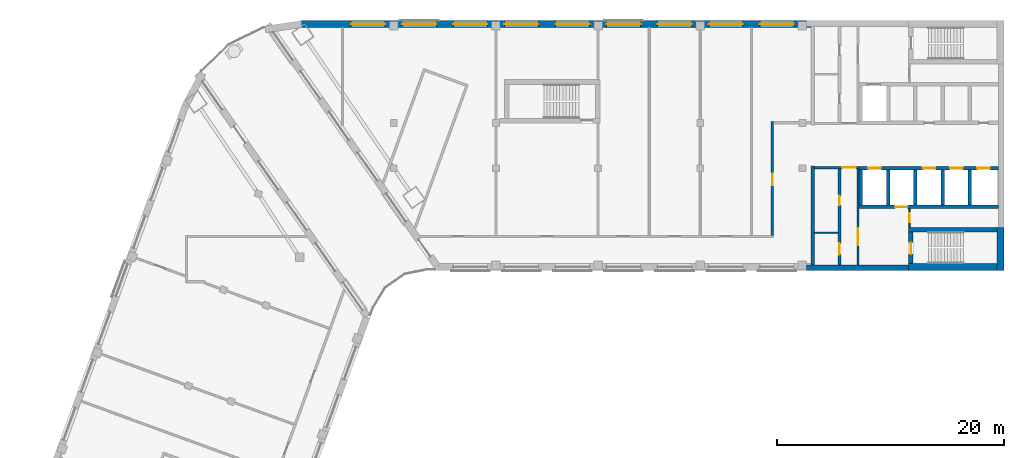
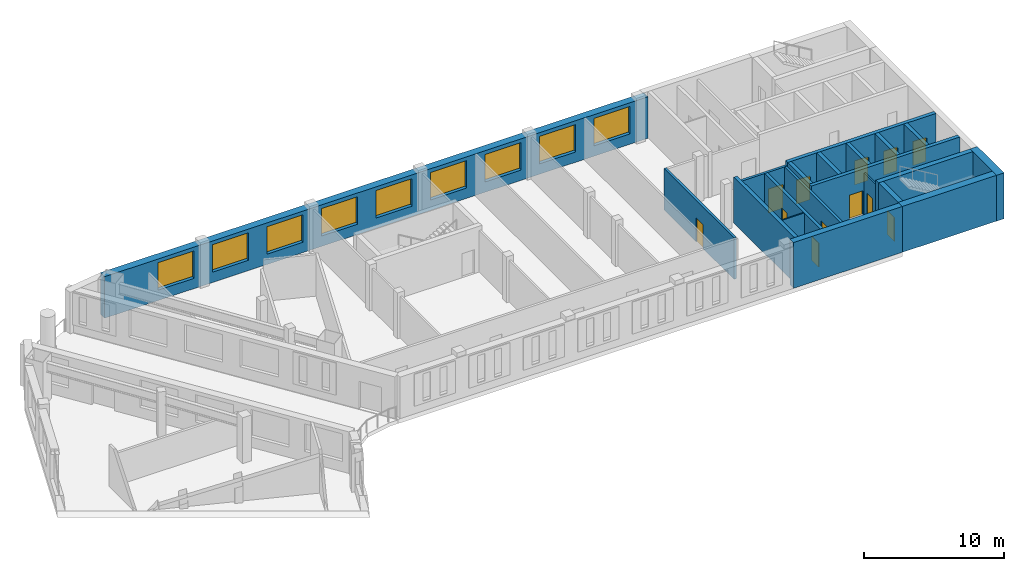
# One storey, part 5 of 11: 20 walls, 12 doors, 9 windows, 21 openings.
"""IFC4 building model written with IfcOpenShell, lengths in metres."""

from ifc_helpers import new_model, si_unit, direction, frame, frame_2d, origin, place, context, subcontext, project, spatial, rectangle, extrude, material, layer, layer_set, type_object, element, fill, save


model = new_model("IFC4")

# Units and contexts
model_context = context("Model", 3, precision=1e-05, world=origin(), true_north=direction((0.0, 1.0)))
body_context = subcontext(model_context, "Body", "Model", "MODEL_VIEW")
ifc_project = project(units=[si_unit("LENGTHUNIT", "METRE"), si_unit("AREAUNIT", "SQUARE_METRE"), si_unit("VOLUMEUNIT", "CUBIC_METRE"), si_unit("PLANEANGLEUNIT", "RADIAN"), si_unit("MASSUNIT", "GRAM", prefix="KILO")], contexts=[model_context])

# Site, building, storey
site_placement = place(None, origin())
site = spatial("IfcSite", under=ifc_project, at=site_placement, CompositionType="ELEMENT")
building_placement = place(site_placement, origin())
building = spatial("IfcBuilding", under=site, at=building_placement, Name="Skarvind Civic Tower", CompositionType="ELEMENT")
storey_placement = place(building_placement, frame((0.0, 0.0, 212.0)))
storey = spatial("IfcBuildingStorey", under=building, at=storey_placement, Name="L50", CompositionType="ELEMENT", Elevation=212.0)

# Wall, opening, door
ifc_material_1 = material(Name="Fire-rated masonry partition", Category="masonry")
ifc_layer_1 = layer(ifc_material_1, 0.199951171875)
ifc_layer_set_1 = layer_set([ifc_layer_1], Name="Core enclosure wall 200")
wall_type_1 = type_object("IfcWallType", Name="Core enclosure wall 200", PredefinedType="PARTITIONING", material=ifc_layer_set_1)
wall_1_placement = place(storey_placement, frame((95.25, 126.050048828125, 0.0), z_axis=(0.0, 0.0, 1.0), x_axis=(-1.0, 0.0, 0.0)))
wall_1 = element("IfcWall", 1, at=wall_1_placement, inside=storey, type_object=wall_type_1, Name="Core wall C1", PredefinedType="PARTITIONING", context=body_context, shape_type="SweptSolid", body=[
    extrude(rectangle(XDim=3.949951171875, YDim=0.199951171875, at=frame_2d((1.97509765625, 0.0))), origin(), (0.0, 0.0, 1.0), 3.625),
])
opening_1_placement = place(wall_1_placement, frame((0.300048828125, 0.0, 0.0)))
opening_1 = element("IfcOpeningElement", 2, at=opening_1_placement, cuts=wall_1, Name="Opening D-L50-C1-07", PredefinedType="OPENING", context=body_context, shape_type="SweptSolid", body=[
    extrude(rectangle(XDim=1.199951171875, YDim=2.10009765625, at=frame_2d((0.60009765625, 1.050048828125))), frame((0.0, 0.10986328125, 0.0), z_axis=(0.0, -1.0, 0.0), x_axis=(1.0, 0.0, 0.0)), (0.0, 0.0, 1.0), 0.219970703125),
])
ifc_material_2 = material(Name="Fire-rated steel door", Category="steel")
door_type_1 = type_object("IfcDoorType", Name="Core lobby door 1200", OperationType="NOTDEFINED", PredefinedType="DOOR", material=ifc_material_2)
door_1_placement = place(opening_1_placement, origin())
door_1 = element("IfcDoor", 3, at=door_1_placement, inside=storey, type_object=door_type_1, Name="Fire door", OperationType="DOUBLE_DOOR_SINGLE_SWING", OverallHeight=2.10009765625, OverallWidth=1.199951171875, PredefinedType="DOOR", context=body_context, shape_type="SweptSolid", body=[
    extrude(rectangle(XDim=1.199951171875, YDim=2.10009765625, at=frame_2d((0.60009765625, 1.050048828125))), frame((0.0, 0.02490234375, 0.0), z_axis=(0.0, -1.0, 0.0), x_axis=(1.0, 0.0, 0.0)), (0.0, 0.0, 1.0), 0.050048828125),
])
fill(opening_1, door_1)

wall_2_placement = place(storey_placement, frame((95.14990234375, 117.5, 0.0), z_axis=(0.0, 0.0, 1.0), x_axis=(0.0, 1.0, 0.0)))
wall_2 = element("IfcWall", 4, at=wall_2_placement, inside=storey, type_object=wall_type_1, Name="Core wall C1", PredefinedType="PARTITIONING", context=body_context, shape_type="SweptSolid", body=[
    extrude(rectangle(XDim=8.449951171875, YDim=0.199951171875, at=frame_2d((4.22509765625, 0.0))), origin(), (0.0, 0.0, 1.0), 3.625),
])
opening_2_placement = place(wall_2_placement, frame((1.72509765625, 0.0, 0.0)))
opening_2 = element("IfcOpeningElement", 5, at=opening_2_placement, cuts=wall_2, Name="Opening D-L50-C1-08", PredefinedType="OPENING", context=body_context, shape_type="SweptSolid", body=[
    extrude(rectangle(XDim=1.5, YDim=2.10009765625, at=frame_2d((0.75, 1.050048828125))), frame((0.0, 0.10986328125, 0.0), z_axis=(0.0, -1.0, 0.0), x_axis=(1.0, 0.0, 0.0)), (0.0, 0.0, 1.0), 0.219970703125),
])
door_type_2 = type_object("IfcDoorType", Name="Fire door 1500", OperationType="NOTDEFINED", PredefinedType="DOOR", material=ifc_material_2)
door_2_placement = place(opening_2_placement, origin())
door_2 = element("IfcDoor", 6, at=door_2_placement, inside=storey, type_object=door_type_2, Name="Fire door", OperationType="DOUBLE_DOOR_SINGLE_SWING", OverallHeight=2.10009765625, OverallWidth=1.5, PredefinedType="DOOR", context=body_context, shape_type="SweptSolid", body=[
    extrude(rectangle(XDim=1.5, YDim=2.10009765625, at=frame_2d((0.75, 1.050048828125))), frame((0.0, 0.02490234375, 0.0), z_axis=(0.0, -1.0, 0.0), x_axis=(1.0, 0.0, 0.0)), (0.0, 0.0, 1.0), 0.050048828125),
])
fill(opening_2, door_2)

# Wall
ifc_material_3 = material(Name="Fire-rated plasterboard partition")
ifc_layer_2 = layer(ifc_material_3, 0.10009765625)
ifc_layer_set_2 = layer_set([ifc_layer_2], Name="Core partition wall 100")
wall_type_2 = type_object("IfcWallType", Name="Core partition wall 100", PredefinedType="PARTITIONING", material=ifc_layer_set_2)
wall_3_placement = place(storey_placement, frame((93.39990234375, 120.320068359375, 0.0), z_axis=(0.0, 0.0, 1.0), x_axis=(-1.0, 0.0, 0.0)))
element("IfcWall", 7, at=wall_3_placement, inside=storey, type_object=wall_type_2, Name="Core wall C1", PredefinedType="PARTITIONING", context=body_context, shape_type="SweptSolid", body=[
    extrude(rectangle(XDim=2.099853515625, YDim=0.10009765625, at=frame_2d((1.0498046875, 0.0))), origin(), (0.0, 0.0, 1.0), 3.625),
])

# Wall, openings, doors
ifc_material_4 = material(Name="Concrete C60", Category="concrete")
ifc_layer_3 = layer(ifc_material_4, 0.300048828125)
ifc_layer_set_3 = layer_set([ifc_layer_3], Name="Core wall 300 C60")
wall_type_3 = type_object("IfcWallType", Name="Core wall 300 C60", PredefinedType="SHEAR", material=ifc_layer_set_3)
wall_4_placement = place(storey_placement, frame((107.5, 126.0, 0.0), z_axis=(0.0, 0.0, 1.0), x_axis=(-1.0, 0.0, 0.0)))
wall_4 = element("IfcWall", 8, at=wall_4_placement, inside=storey, type_object=wall_type_3, Name="Core wall C1 north lift row front L50", PredefinedType="SHEAR", context=body_context, shape_type="SweptSolid", body=[
    extrude(rectangle(XDim=12.25, YDim=0.300048828125, at=frame_2d((6.125, 0.0))), origin(), (0.0, 0.0, 1.0), 4.0),
])
opening_3_placement = place(wall_4_placement, frame((0.75, 0.0, 0.0)))
opening_3 = element("IfcOpeningElement", 9, at=opening_3_placement, cuts=wall_4, Name="Opening LD52101", PredefinedType="OPENING", context=body_context, shape_type="SweptSolid", body=[
    extrude(rectangle(XDim=1.10009765625, YDim=2.10009765625, at=frame_2d((0.550048828125, 1.050048828125))), frame((0.0, 0.159912109375, 0.0), z_axis=(0.0, -1.0, 0.0), x_axis=(1.0, 0.0, 0.0)), (0.0, 0.0, 1.0), 0.320068359375),
])
opening_4_placement = place(wall_4_placement, frame((3.14990234375, 0.0, 0.0)))
opening_4 = element("IfcOpeningElement", 10, at=opening_4_placement, cuts=wall_4, Name="Opening LD52102", PredefinedType="OPENING", context=body_context, shape_type="SweptSolid", body=[
    extrude(rectangle(XDim=1.10009765625, YDim=2.10009765625, at=frame_2d((0.550048828125, 1.050048828125))), frame((0.0, 0.159912109375, 0.0), z_axis=(0.0, -1.0, 0.0), x_axis=(1.0, 0.0, 0.0)), (0.0, 0.0, 1.0), 0.320068359375),
])
opening_5_placement = place(wall_4_placement, frame((5.550048828125, 0.0, 0.0)))
opening_5 = element("IfcOpeningElement", 11, at=opening_5_placement, cuts=wall_4, Name="Opening LD52103", PredefinedType="OPENING", context=body_context, shape_type="SweptSolid", body=[
    extrude(rectangle(XDim=1.10009765625, YDim=2.10009765625, at=frame_2d((0.550048828125, 1.050048828125))), frame((0.0, 0.159912109375, 0.0), z_axis=(0.0, -1.0, 0.0), x_axis=(1.0, 0.0, 0.0)), (0.0, 0.0, 1.0), 0.320068359375),
])
opening_6_placement = place(wall_4_placement, frame((10.35009765625, 0.0, 0.0)))
opening_6 = element("IfcOpeningElement", 12, at=opening_6_placement, cuts=wall_4, Name="Opening LD52105", PredefinedType="OPENING", context=body_context, shape_type="SweptSolid", body=[
    extrude(rectangle(XDim=1.10009765625, YDim=2.10009765625, at=frame_2d((0.550048828125, 1.050048828125))), frame((0.0, 0.159912109375, 0.0), z_axis=(0.0, -1.0, 0.0), x_axis=(1.0, 0.0, 0.0)), (0.0, 0.0, 1.0), 0.320068359375),
])
ifc_material_5 = material(Name="Stainless steel landing door", Category="steel")
door_type_3 = type_object("IfcDoorType", Name="Lift landing door 1100", OperationType="DOUBLE_DOOR_SLIDING", PredefinedType="DOOR", material=ifc_material_5)
door_3_placement = place(opening_3_placement, origin())
door_3 = element("IfcDoor", 13, at=door_3_placement, inside=storey, type_object=door_type_3, Name="Lift landing door", OperationType="DOUBLE_DOOR_SLIDING", OverallHeight=2.10009765625, OverallWidth=1.10009765625, PredefinedType="DOOR", context=body_context, shape_type="SweptSolid", body=[
    extrude(rectangle(XDim=1.10009765625, YDim=2.10009765625, at=frame_2d((0.550048828125, 1.050048828125))), frame((0.0, 0.02490234375, 0.0), z_axis=(0.0, -1.0, 0.0), x_axis=(1.0, 0.0, 0.0)), (0.0, 0.0, 1.0), 0.050048828125),
])
fill(opening_3, door_3)
door_4_placement = place(opening_4_placement, origin())
door_4 = element("IfcDoor", 14, at=door_4_placement, inside=storey, type_object=door_type_3, Name="Lift landing door", OperationType="DOUBLE_DOOR_SLIDING", OverallHeight=2.10009765625, OverallWidth=1.10009765625, PredefinedType="DOOR", context=body_context, shape_type="SweptSolid", body=[
    extrude(rectangle(XDim=1.10009765625, YDim=2.10009765625, at=frame_2d((0.550048828125, 1.050048828125))), frame((0.0, 0.02490234375, 0.0), z_axis=(0.0, -1.0, 0.0), x_axis=(1.0, 0.0, 0.0)), (0.0, 0.0, 1.0), 0.050048828125),
])
fill(opening_4, door_4)
door_5_placement = place(opening_5_placement, origin())
door_5 = element("IfcDoor", 15, at=door_5_placement, inside=storey, type_object=door_type_3, Name="Lift landing door", OperationType="DOUBLE_DOOR_SLIDING", OverallHeight=2.10009765625, OverallWidth=1.10009765625, PredefinedType="DOOR", context=body_context, shape_type="SweptSolid", body=[
    extrude(rectangle(XDim=1.10009765625, YDim=2.10009765625, at=frame_2d((0.550048828125, 1.050048828125))), frame((0.0, 0.02490234375, 0.0), z_axis=(0.0, -1.0, 0.0), x_axis=(1.0, 0.0, 0.0)), (0.0, 0.0, 1.0), 0.050048828125),
])
fill(opening_5, door_5)
door_6_placement = place(opening_6_placement, origin())
door_6 = element("IfcDoor", 16, at=door_6_placement, inside=storey, type_object=door_type_3, Name="Lift landing door", OperationType="DOUBLE_DOOR_SLIDING", OverallHeight=2.10009765625, OverallWidth=1.10009765625, PredefinedType="DOOR", context=body_context, shape_type="SweptSolid", body=[
    extrude(rectangle(XDim=1.10009765625, YDim=2.10009765625, at=frame_2d((0.550048828125, 1.050048828125))), frame((0.0, 0.02490234375, 0.0), z_axis=(0.0, -1.0, 0.0), x_axis=(1.0, 0.0, 0.0)), (0.0, 0.0, 1.0), 0.050048828125),
])
fill(opening_6, door_6)

# Wall, opening, door
wall_5_placement = place(storey_placement, frame((107.5, 122.60009765625, 0.0), z_axis=(0.0, 0.0, 1.0), x_axis=(-1.0, 0.0, 0.0)))
wall_5 = element("IfcWall", 17, at=wall_5_placement, inside=storey, type_object=wall_type_3, Name="Core wall C1 north lift row back L50", PredefinedType="SHEAR", context=body_context, shape_type="SweptSolid", body=[
    extrude(rectangle(XDim=12.25, YDim=0.300048828125, at=frame_2d((6.125, 0.0))), origin(), (0.0, 0.0, 1.0), 4.0),
])
opening_7_placement = place(wall_5_placement, frame((8.0, 0.0, 0.0)))
opening_7 = element("IfcOpeningElement", 18, at=opening_7_placement, cuts=wall_5, Name="Opening LD52104", PredefinedType="OPENING", context=body_context, shape_type="SweptSolid", body=[
    extrude(rectangle(XDim=1.10009765625, YDim=2.10009765625, at=frame_2d((0.550048828125, 1.050048828125))), frame((0.0, 0.159912109375, 0.0), z_axis=(0.0, -1.0, 0.0), x_axis=(1.0, 0.0, 0.0)), (0.0, 0.0, 1.0), 0.320068359375),
])
door_7_placement = place(opening_7_placement, origin())
door_7 = element("IfcDoor", 19, at=door_7_placement, inside=storey, type_object=door_type_3, Name="Lift landing door", OperationType="DOUBLE_DOOR_SLIDING", OverallHeight=2.10009765625, OverallWidth=1.10009765625, PredefinedType="DOOR", context=body_context, shape_type="SweptSolid", body=[
    extrude(rectangle(XDim=1.10009765625, YDim=2.10009765625, at=frame_2d((0.550048828125, 1.050048828125))), frame((0.0, 0.02490234375, 0.0), z_axis=(0.0, -1.0, 0.0), x_axis=(1.0, 0.0, 0.0)), (0.0, 0.0, 1.0), 0.050048828125),
])
fill(opening_7, door_7)

# Walls
for number, where, z_axis, x_axis, name in (
    (20, (105.0, 125.85009765625, 0.0), (0.0, 0.0, 1.0), (0.0, -1.0, 0.0), "Core wall C1 north lift row division 1 L50"),
    (21, (102.60009765625, 125.85009765625, 0.0), (0.0, 0.0, 1.0), (0.0, -1.0, 0.0), "Core wall C1 north lift row division 2 L50"),
    (22, (100.199951171875, 125.85009765625, 0.0), (0.0, 0.0, 1.0), (0.0, -1.0, 0.0), "Core wall C1 north lift row division 3 L50"),
    (23, (97.800048828125, 125.85009765625, 0.0), (0.0, 0.0, 1.0), (0.0, -1.0, 0.0), "Core wall C1 north lift row division 4 L50"),
    (24, (95.39990234375, 125.85009765625, 0.0), (0.0, 0.0, 1.0), (0.0, -1.0, 0.0), "Core wall C1 north lift row division 5 L50"),
):
    element("IfcWall", number, at=place(storey_placement, frame(where, z_axis=z_axis, x_axis=x_axis)), inside=storey, type_object=wall_type_3, Name=name, PredefinedType="SHEAR", context=body_context, shape_type="SweptSolid", body=[
        extrude(rectangle(XDim=3.10009765625, YDim=0.300048828125, at=frame_2d((1.550048828125, 0.0))), origin(), (0.0, 0.0, 1.0), 4.0),
    ])
wall_6_placement = place(storey_placement, frame((91.14990234375, 126.199951171875, 0.0), z_axis=(0.0, 0.0, 1.0), x_axis=(0.0, -1.0, 0.0)))
element("IfcWall", 25, at=wall_6_placement, inside=storey, type_object=wall_type_3, Name="Core wall C1 north inner face L50", PredefinedType="SHEAR", context=body_context, shape_type="SweptSolid", body=[
    extrude(rectangle(XDim=8.699951171875, YDim=0.300048828125, at=frame_2d((4.35009765625, 0.0))), origin(), (0.0, 0.0, 1.0), 4.0),
])
ifc_layer_4 = layer(ifc_material_4, 0.39990234375)
ifc_layer_set_4 = layer_set([ifc_layer_4], Name="Core wall 400 C60")
wall_type_4 = type_object("IfcWallType", Name="Core wall 400 C60", PredefinedType="SHEAR", material=ifc_layer_set_4)
wall_7_placement = place(storey_placement, frame((107.39990234375, 120.60009765625, 0.0), z_axis=(0.0, 0.0, 1.0), x_axis=(-1.0, 0.0, 0.0)))
element("IfcWall", 26, at=wall_7_placement, inside=storey, type_object=wall_type_4, Name="Core wall C1 north stair inner L50", PredefinedType="SHEAR", context=body_context, shape_type="SweptSolid", body=[
    extrude(rectangle(XDim=7.7998046875, YDim=0.39990234375, at=frame_2d((3.89990234375, 0.0))), origin(), (0.0, 0.0, 1.0), 4.0),
])

# Wall, opening, door
wall_8_placement = place(storey_placement, frame((99.800048828125, 120.39990234375, 0.0), z_axis=(0.0, 0.0, 1.0), x_axis=(0.0, -1.0, 0.0)))
wall_8 = element("IfcWall", 27, at=wall_8_placement, inside=storey, type_object=wall_type_4, Name="Core wall C1 north stair end L50", PredefinedType="SHEAR", context=body_context, shape_type="SweptSolid", body=[
    extrude(rectangle(XDim=2.7998046875, YDim=0.39990234375, at=frame_2d((1.39990234375, 0.0))), origin(), (0.0, 0.0, 1.0), 4.0),
])
opening_8_placement = place(wall_8_placement, frame((0.949951171875, 0.0, 0.0)))
opening_8 = element("IfcOpeningElement", 28, at=opening_8_placement, cuts=wall_8, Name="Opening D-L50-C1-09", PredefinedType="OPENING", context=body_context, shape_type="SweptSolid", body=[
    extrude(rectangle(XDim=1.0, YDim=2.10009765625, at=frame_2d((0.5, 1.050048828125))), frame((0.0, 0.2099609375, 0.0), z_axis=(0.0, -1.0, 0.0), x_axis=(1.0, 0.0, 0.0)), (0.0, 0.0, 1.0), 0.419921875),
])
door_type_4 = type_object("IfcDoorType", Name="Fire door 1000", OperationType="NOTDEFINED", PredefinedType="DOOR", material=ifc_material_2)
door_8_placement = place(opening_8_placement, origin())
door_8 = element("IfcDoor", 29, at=door_8_placement, inside=storey, type_object=door_type_4, Name="Fire door", OperationType="SINGLE_SWING_LEFT", OverallHeight=2.10009765625, OverallWidth=1.0, PredefinedType="DOOR", context=body_context, shape_type="SweptSolid", body=[
    extrude(rectangle(XDim=1.0, YDim=2.10009765625, at=frame_2d((0.5, 1.050048828125))), frame((0.0, 0.02490234375, 0.0), z_axis=(0.0, -1.0, 0.0), x_axis=(1.0, 0.0, 0.0)), (0.0, 0.0, 1.0), 0.050048828125),
])
fill(opening_8, door_8)

# Walls
ifc_layer_5 = layer(ifc_material_4, 0.5)
ifc_layer_set_5 = layer_set([ifc_layer_5], Name="Core wall 500 C60")
wall_type_5 = type_object("IfcWallType", Name="Core wall 500 C60", PredefinedType="SHEAR", material=ifc_layer_set_5)
wall_9_placement = place(storey_placement, frame((99.60009765625, 117.25, 0.0), z_axis=(0.0, 0.0, 1.0), x_axis=(-1.0, 0.0, 0.0)))
element("IfcWall", 30, at=wall_9_placement, inside=storey, type_object=wall_type_5, Name="Core wall C1 north side L50", PredefinedType="SHEAR", context=body_context, shape_type="SweptSolid", body=[
    extrude(rectangle(XDim=8.97509765625, YDim=0.5, at=frame_2d((4.487548828125, 0.0))), origin(), (0.0, 0.0, 1.0), 4.0),
])
ifc_layer_6 = layer(ifc_material_4, 0.60009765625)
ifc_layer_set_6 = layer_set([ifc_layer_6], Name="Core wall 600 C60")
wall_type_6 = type_object("IfcWallType", Name="Core wall 600 C60", PredefinedType="SHEAR", material=ifc_layer_set_6)
wall_10_placement = place(storey_placement, frame((107.699951171875, 120.800048828125, 0.0), z_axis=(0.0, 0.0, 1.0), x_axis=(0.0, -1.0, 0.0)))
element("IfcWall", 31, at=wall_10_placement, inside=storey, type_object=wall_type_6, Name="Core wall C1 tip at the north stair L50", PredefinedType="SHEAR", context=body_context, shape_type="SweptSolid", body=[
    extrude(rectangle(XDim=3.800048828125, YDim=0.60009765625, at=frame_2d((1.89990234375, 0.0))), origin(), (0.0, 0.0, 1.0), 4.0),
])
wall_11_placement = place(storey_placement, frame((107.39990234375, 117.300048828125, 0.0), z_axis=(0.0, 0.0, 1.0), x_axis=(-1.0, 0.0, 0.0)))
element("IfcWall", 32, at=wall_11_placement, inside=storey, type_object=wall_type_6, Name="Core wall C1 north side at the stair L50", PredefinedType="SHEAR", context=body_context, shape_type="SweptSolid", body=[
    extrude(rectangle(XDim=7.7998046875, YDim=0.60009765625, at=frame_2d((3.89990234375, 0.0))), origin(), (0.0, 0.0, 1.0), 4.0),
])

# Wall, opening, door
ifc_material_6 = material(Name="Fire-rated blockwork wall, plastered", Category="masonry")
ifc_layer_7 = layer(ifc_material_6, 0.199951171875)
ifc_layer_set_7 = layer_set([ifc_layer_7], Name="FIRE WALL 200 EI 60")
wall_type_7 = type_object("IfcWallType", Name="FIRE WALL 200 EI 60", PredefinedType="PARTITIONING", material=ifc_layer_set_7)
wall_12_placement = place(storey_placement, frame((87.60009765625, 120.10009765625, 0.0), z_axis=(0.0, 0.0, 1.0), x_axis=(0.0, 1.0, 0.0)))
wall_12 = element("IfcWall", 33, at=wall_12_placement, inside=storey, type_object=wall_type_7, Name="Portal partition L50 025", PredefinedType="PARTITIONING", context=body_context, shape_type="SweptSolid", body=[
    extrude(rectangle(XDim=10.0, YDim=0.199951171875, at=frame_2d((5.0, 0.0))), origin(), (0.0, 0.0, 1.0), 3.625),
])
opening_9_placement = place(wall_12_placement, frame((4.39990234375, 0.0, 0.0)))
opening_9 = element("IfcOpeningElement", 34, at=opening_9_placement, cuts=wall_12, Name="Opening L50-D210", PredefinedType="OPENING", context=body_context, shape_type="SweptSolid", body=[
    extrude(rectangle(XDim=1.0, YDim=2.10009765625, at=frame_2d((0.5, 1.050048828125))), frame((0.0, 0.10986328125, 0.0), z_axis=(0.0, -1.0, 0.0), x_axis=(1.0, 0.0, 0.0)), (0.0, 0.0, 1.0), 0.219970703125),
])
ifc_material_7 = material(Name="Painted steel fire door leaf", Category="steel")
door_type_5 = type_object("IfcDoorType", Name="FIRE DOOR 1000X2100 STEEL", OperationType="NOTDEFINED", PredefinedType="DOOR", material=ifc_material_7)
door_9_placement = place(opening_9_placement, origin())
door_9 = element("IfcDoor", 35, at=door_9_placement, inside=storey, type_object=door_type_5, Name="FIRE DOOR", OperationType="SINGLE_SWING_LEFT", OverallHeight=2.10009765625, OverallWidth=1.0, PredefinedType="DOOR", context=body_context, shape_type="SweptSolid", body=[
    extrude(rectangle(XDim=1.0, YDim=2.10009765625, at=frame_2d((0.5, 1.050048828125))), frame((0.0, 0.02490234375, 0.0), z_axis=(0.0, -1.0, 0.0), x_axis=(1.0, 0.0, 0.0)), (0.0, 0.0, 1.0), 0.050048828125),
])
fill(opening_9, door_9)

ifc_layer_8 = layer(ifc_material_1, 0.125)
ifc_layer_set_8 = layer_set([ifc_layer_8], Name="Riser wall 125")
wall_type_8 = type_object("IfcWallType", Name="Riser wall 125", PredefinedType="PARTITIONING", material=ifc_layer_set_8)
wall_13_placement = place(storey_placement, frame((99.66259765625, 120.800048828125, 0.0), z_axis=(0.0, 0.0, 1.0), x_axis=(0.0, 1.0, 0.0)))
wall_13 = element("IfcWall", 36, at=wall_13_placement, inside=storey, type_object=wall_type_8, Name="Core wall C1", PredefinedType="PARTITIONING", context=body_context, shape_type="SweptSolid", body=[
    extrude(rectangle(XDim=1.64990234375, YDim=0.125, at=frame_2d((0.824951171875, 0.0))), origin(), (0.0, 0.0, 1.0), 3.625),
])
opening_10_placement = place(wall_13_placement, frame((0.425048828125, 0.0, 0.0)))
opening_10 = element("IfcOpeningElement", 37, at=opening_10_placement, cuts=wall_13, Name="Opening D-L50-C1-10", PredefinedType="OPENING", context=body_context, shape_type="SweptSolid", body=[
    extrude(rectangle(XDim=0.800048828125, YDim=2.10009765625, at=frame_2d((0.39990234375, 1.050048828125))), frame((0.0, 0.072509765625, 0.0), z_axis=(0.0, -1.0, 0.0), x_axis=(1.0, 0.0, 0.0)), (0.0, 0.0, 1.0), 0.14501953125),
])
door_type_6 = type_object("IfcDoorType", Name="Core riser door 800", OperationType="NOTDEFINED", PredefinedType="DOOR", material=ifc_material_2)
door_10_placement = place(opening_10_placement, origin())
door_10 = element("IfcDoor", 38, at=door_10_placement, inside=storey, type_object=door_type_6, Name="Riser door", OperationType="SINGLE_SWING_RIGHT", OverallHeight=2.10009765625, OverallWidth=0.800048828125, PredefinedType="DOOR", context=body_context, shape_type="SweptSolid", body=[
    extrude(rectangle(XDim=0.800048828125, YDim=2.10009765625, at=frame_2d((0.39990234375, 1.050048828125))), frame((0.0, 0.02490234375, 0.0), z_axis=(0.0, -1.0, 0.0), x_axis=(1.0, 0.0, 0.0)), (0.0, 0.0, 1.0), 0.050048828125),
])
fill(opening_10, door_10)

# Wall, openings, doors
ifc_layer_9 = layer(ifc_material_1, 0.25)
ifc_layer_set_9 = layer_set([ifc_layer_9], Name="Service block wall 250")
wall_type_9 = type_object("IfcWallType", Name="Service block wall 250", PredefinedType="PARTITIONING", material=ifc_layer_set_9)
wall_14_placement = place(storey_placement, frame((93.52490234375, 117.5, 0.0), z_axis=(0.0, 0.0, 1.0), x_axis=(0.0, 1.0, 0.0)))
wall_14 = element("IfcWall", 39, at=wall_14_placement, inside=storey, type_object=wall_type_9, Name="Core wall C1", PredefinedType="PARTITIONING", context=body_context, shape_type="SweptSolid", body=[
    extrude(rectangle(XDim=8.449951171875, YDim=0.25, at=frame_2d((4.22509765625, 0.0))), origin(), (0.0, 0.0, 1.0), 3.625),
])
opening_11_placement = place(wall_14_placement, frame((5.260009765625, 0.0, 0.0)))
opening_11 = element("IfcOpeningElement", 40, at=opening_11_placement, cuts=wall_14, Name="Opening D-L50-C1-11", PredefinedType="OPENING", context=body_context, shape_type="SweptSolid", body=[
    extrude(rectangle(XDim=0.800048828125, YDim=2.10009765625, at=frame_2d((0.39990234375, 1.050048828125))), frame((0.0, 0.135009765625, 0.0), z_axis=(0.0, -1.0, 0.0), x_axis=(1.0, 0.0, 0.0)), (0.0, 0.0, 1.0), 0.27001953125),
])
opening_12_placement = place(wall_14_placement, frame((0.885009765625, 0.0, 0.0)))
opening_12 = element("IfcOpeningElement", 41, at=opening_12_placement, cuts=wall_14, Name="Opening D-L50-C1-12", PredefinedType="OPENING", context=body_context, shape_type="SweptSolid", body=[
    extrude(rectangle(XDim=1.0, YDim=2.10009765625, at=frame_2d((0.5, 1.050048828125))), frame((0.0, 0.135009765625, 0.0), z_axis=(0.0, -1.0, 0.0), x_axis=(1.0, 0.0, 0.0)), (0.0, 0.0, 1.0), 0.27001953125),
])
door_11_placement = place(opening_11_placement, origin())
door_11 = element("IfcDoor", 42, at=door_11_placement, inside=storey, type_object=door_type_6, Name="Riser door", OperationType="SINGLE_SWING_LEFT", OverallHeight=2.10009765625, OverallWidth=0.800048828125, PredefinedType="DOOR", context=body_context, shape_type="SweptSolid", body=[
    extrude(rectangle(XDim=0.800048828125, YDim=2.10009765625, at=frame_2d((0.39990234375, 1.050048828125))), frame((0.0, 0.02490234375, 0.0), z_axis=(0.0, -1.0, 0.0), x_axis=(1.0, 0.0, 0.0)), (0.0, 0.0, 1.0), 0.050048828125),
])
fill(opening_11, door_11)
door_12_placement = place(opening_12_placement, origin())
door_12 = element("IfcDoor", 43, at=door_12_placement, inside=storey, type_object=door_type_4, Name="Fire door", OperationType="SINGLE_SWING_RIGHT", OverallHeight=2.10009765625, OverallWidth=1.0, PredefinedType="DOOR", context=body_context, shape_type="SweptSolid", body=[
    extrude(rectangle(XDim=1.0, YDim=2.10009765625, at=frame_2d((0.5, 1.050048828125))), frame((0.0, 0.02490234375, 0.0), z_axis=(0.0, -1.0, 0.0), x_axis=(1.0, 0.0, 0.0)), (0.0, 0.0, 1.0), 0.050048828125),
])
fill(opening_12, door_12)

# Wall, openings, windows
ifc_material_8 = material(Name="Limestone masonry cladding on insulated backing", Category="masonry")
ifc_layer_10 = layer(ifc_material_8, 0.60009765625)
ifc_layer_set_10 = layer_set([ifc_layer_10], Name="WX1 STONE FACADE WALL 600")
wall_type_10 = type_object("IfcWallType", Name="WX1 STONE FACADE WALL 600", PredefinedType="SOLIDWALL", material=ifc_layer_set_10)
wall_15_placement = place(storey_placement, frame((46.095458984375, 138.699951171875, 0.0), z_axis=(0.0, 0.0, 1.0), x_axis=(1.0, 0.0, 0.0)))
wall_15 = element("IfcWall", 44, at=wall_15_placement, inside=storey, type_object=wall_type_10, Name="STONE FACADE WALL", PredefinedType="SOLIDWALL", context=body_context, shape_type="SweptSolid", body=[
    extrude(rectangle(XDim=44.884521484375, YDim=0.60009765625, at=frame_2d((22.4423828125, 0.0))), origin(), (0.0, 0.0, 1.0), 3.625),
])
opening_13_placement = place(wall_15_placement, frame((4.404541015625, 0.0, 0.89990234375)))
opening_13 = element("IfcOpeningElement", 45, at=opening_13_placement, cuts=wall_15, Name="Opening WN1", PredefinedType="OPENING", context=body_context, shape_type="SweptSolid", body=[
    extrude(rectangle(XDim=3.0, YDim=2.39990234375, at=frame_2d((1.5, 1.199951171875))), frame((0.0, 0.31005859375, 0.0), z_axis=(0.0, -1.0, 0.0), x_axis=(1.0, 0.0, 0.0)), (0.0, 0.0, 1.0), 0.6201171875),
])
opening_14_placement = place(wall_15_placement, frame((8.904541015625, 0.0, 0.89990234375)))
opening_14 = element("IfcOpeningElement", 46, at=opening_14_placement, cuts=wall_15, Name="Opening WN1", PredefinedType="OPENING", context=body_context, shape_type="SweptSolid", body=[
    extrude(rectangle(XDim=3.0, YDim=2.39990234375, at=frame_2d((1.5, 1.199951171875))), frame((0.0, 0.31005859375, 0.0), z_axis=(0.0, -1.0, 0.0), x_axis=(1.0, 0.0, 0.0)), (0.0, 0.0, 1.0), 0.6201171875),
])
opening_15_placement = place(wall_15_placement, frame((13.404541015625, 0.0, 0.89990234375)))
opening_15 = element("IfcOpeningElement", 47, at=opening_15_placement, cuts=wall_15, Name="Opening WN1", PredefinedType="OPENING", context=body_context, shape_type="SweptSolid", body=[
    extrude(rectangle(XDim=3.0, YDim=2.39990234375, at=frame_2d((1.5, 1.199951171875))), frame((0.0, 0.31005859375, 0.0), z_axis=(0.0, -1.0, 0.0), x_axis=(1.0, 0.0, 0.0)), (0.0, 0.0, 1.0), 0.6201171875),
])
opening_16_placement = place(wall_15_placement, frame((17.904541015625, 0.0, 0.89990234375)))
opening_16 = element("IfcOpeningElement", 48, at=opening_16_placement, cuts=wall_15, Name="Opening WN1", PredefinedType="OPENING", context=body_context, shape_type="SweptSolid", body=[
    extrude(rectangle(XDim=3.0, YDim=2.39990234375, at=frame_2d((1.5, 1.199951171875))), frame((0.0, 0.31005859375, 0.0), z_axis=(0.0, -1.0, 0.0), x_axis=(1.0, 0.0, 0.0)), (0.0, 0.0, 1.0), 0.6201171875),
])
opening_17_placement = place(wall_15_placement, frame((22.404541015625, 0.0, 0.89990234375)))
opening_17 = element("IfcOpeningElement", 49, at=opening_17_placement, cuts=wall_15, Name="Opening WN1", PredefinedType="OPENING", context=body_context, shape_type="SweptSolid", body=[
    extrude(rectangle(XDim=3.0, YDim=2.39990234375, at=frame_2d((1.5, 1.199951171875))), frame((0.0, 0.31005859375, 0.0), z_axis=(0.0, -1.0, 0.0), x_axis=(1.0, 0.0, 0.0)), (0.0, 0.0, 1.0), 0.6201171875),
])
opening_18_placement = place(wall_15_placement, frame((26.904541015625, 0.0, 0.89990234375)))
opening_18 = element("IfcOpeningElement", 50, at=opening_18_placement, cuts=wall_15, Name="Opening WN1", PredefinedType="OPENING", context=body_context, shape_type="SweptSolid", body=[
    extrude(rectangle(XDim=3.0, YDim=2.39990234375, at=frame_2d((1.5, 1.199951171875))), frame((0.0, 0.31005859375, 0.0), z_axis=(0.0, -1.0, 0.0), x_axis=(1.0, 0.0, 0.0)), (0.0, 0.0, 1.0), 0.6201171875),
])
opening_19_placement = place(wall_15_placement, frame((31.404541015625, 0.0, 0.89990234375)))
opening_19 = element("IfcOpeningElement", 51, at=opening_19_placement, cuts=wall_15, Name="Opening WN1", PredefinedType="OPENING", context=body_context, shape_type="SweptSolid", body=[
    extrude(rectangle(XDim=3.0, YDim=2.39990234375, at=frame_2d((1.5, 1.199951171875))), frame((0.0, 0.31005859375, 0.0), z_axis=(0.0, -1.0, 0.0), x_axis=(1.0, 0.0, 0.0)), (0.0, 0.0, 1.0), 0.6201171875),
])
opening_20_placement = place(wall_15_placement, frame((35.904541015625, 0.0, 0.89990234375)))
opening_20 = element("IfcOpeningElement", 52, at=opening_20_placement, cuts=wall_15, Name="Opening WN1", PredefinedType="OPENING", context=body_context, shape_type="SweptSolid", body=[
    extrude(rectangle(XDim=3.0, YDim=2.39990234375, at=frame_2d((1.5, 1.199951171875))), frame((0.0, 0.31005859375, 0.0), z_axis=(0.0, -1.0, 0.0), x_axis=(1.0, 0.0, 0.0)), (0.0, 0.0, 1.0), 0.6201171875),
])
opening_21_placement = place(wall_15_placement, frame((40.404541015625, 0.0, 0.89990234375)))
opening_21 = element("IfcOpeningElement", 53, at=opening_21_placement, cuts=wall_15, Name="Opening WN1", PredefinedType="OPENING", context=body_context, shape_type="SweptSolid", body=[
    extrude(rectangle(XDim=3.0, YDim=2.39990234375, at=frame_2d((1.5, 1.199951171875))), frame((0.0, 0.31005859375, 0.0), z_axis=(0.0, -1.0, 0.0), x_axis=(1.0, 0.0, 0.0)), (0.0, 0.0, 1.0), 0.6201171875),
])
ifc_material_9 = material(Name="Timber frame, double glazing, timber-lined reveal", Category="wood")
window_type = type_object("IfcWindowType", Name="WN1 PUNCHED STONE WINDOW 3000 x 2400", PartitioningType="SINGLE_PANEL", PredefinedType="WINDOW", material=ifc_material_9)
window_1_placement = place(opening_13_placement, origin())
window_1 = element("IfcWindow", 54, at=window_1_placement, inside=storey, type_object=window_type, Name="WN1 WINDOW", OverallHeight=2.39990234375, OverallWidth=3.0, PartitioningType="SINGLE_PANEL", PredefinedType="WINDOW", context=body_context, shape_type="SweptSolid", body=[
    extrude(rectangle(XDim=3.0, YDim=2.39990234375, at=frame_2d((1.5, 1.199951171875))), frame((0.0, 0.030029296875, 0.0), z_axis=(0.0, -1.0, 0.0), x_axis=(1.0, 0.0, 0.0)), (0.0, 0.0, 1.0), 0.06005859375),
])
fill(opening_13, window_1)
window_2_placement = place(opening_14_placement, origin())
window_2 = element("IfcWindow", 55, at=window_2_placement, inside=storey, type_object=window_type, Name="WN1 WINDOW", OverallHeight=2.39990234375, OverallWidth=3.0, PartitioningType="SINGLE_PANEL", PredefinedType="WINDOW", context=body_context, shape_type="SweptSolid", body=[
    extrude(rectangle(XDim=3.0, YDim=2.39990234375, at=frame_2d((1.5, 1.199951171875))), frame((0.0, 0.030029296875, 0.0), z_axis=(0.0, -1.0, 0.0), x_axis=(1.0, 0.0, 0.0)), (0.0, 0.0, 1.0), 0.06005859375),
])
fill(opening_14, window_2)
window_3_placement = place(opening_15_placement, origin())
window_3 = element("IfcWindow", 56, at=window_3_placement, inside=storey, type_object=window_type, Name="WN1 WINDOW", OverallHeight=2.39990234375, OverallWidth=3.0, PartitioningType="SINGLE_PANEL", PredefinedType="WINDOW", context=body_context, shape_type="SweptSolid", body=[
    extrude(rectangle(XDim=3.0, YDim=2.39990234375, at=frame_2d((1.5, 1.199951171875))), frame((0.0, 0.030029296875, 0.0), z_axis=(0.0, -1.0, 0.0), x_axis=(1.0, 0.0, 0.0)), (0.0, 0.0, 1.0), 0.06005859375),
])
fill(opening_15, window_3)
window_4_placement = place(opening_16_placement, origin())
window_4 = element("IfcWindow", 57, at=window_4_placement, inside=storey, type_object=window_type, Name="WN1 WINDOW", OverallHeight=2.39990234375, OverallWidth=3.0, PartitioningType="SINGLE_PANEL", PredefinedType="WINDOW", context=body_context, shape_type="SweptSolid", body=[
    extrude(rectangle(XDim=3.0, YDim=2.39990234375, at=frame_2d((1.5, 1.199951171875))), frame((0.0, 0.030029296875, 0.0), z_axis=(0.0, -1.0, 0.0), x_axis=(1.0, 0.0, 0.0)), (0.0, 0.0, 1.0), 0.06005859375),
])
fill(opening_16, window_4)
window_5_placement = place(opening_17_placement, origin())
window_5 = element("IfcWindow", 58, at=window_5_placement, inside=storey, type_object=window_type, Name="WN1 WINDOW", OverallHeight=2.39990234375, OverallWidth=3.0, PartitioningType="SINGLE_PANEL", PredefinedType="WINDOW", context=body_context, shape_type="SweptSolid", body=[
    extrude(rectangle(XDim=3.0, YDim=2.39990234375, at=frame_2d((1.5, 1.199951171875))), frame((0.0, 0.030029296875, 0.0), z_axis=(0.0, -1.0, 0.0), x_axis=(1.0, 0.0, 0.0)), (0.0, 0.0, 1.0), 0.06005859375),
])
fill(opening_17, window_5)
window_6_placement = place(opening_18_placement, origin())
window_6 = element("IfcWindow", 59, at=window_6_placement, inside=storey, type_object=window_type, Name="WN1 WINDOW", OverallHeight=2.39990234375, OverallWidth=3.0, PartitioningType="SINGLE_PANEL", PredefinedType="WINDOW", context=body_context, shape_type="SweptSolid", body=[
    extrude(rectangle(XDim=3.0, YDim=2.39990234375, at=frame_2d((1.5, 1.199951171875))), frame((0.0, 0.030029296875, 0.0), z_axis=(0.0, -1.0, 0.0), x_axis=(1.0, 0.0, 0.0)), (0.0, 0.0, 1.0), 0.06005859375),
])
fill(opening_18, window_6)
window_7_placement = place(opening_19_placement, origin())
window_7 = element("IfcWindow", 60, at=window_7_placement, inside=storey, type_object=window_type, Name="WN1 WINDOW", OverallHeight=2.39990234375, OverallWidth=3.0, PartitioningType="SINGLE_PANEL", PredefinedType="WINDOW", context=body_context, shape_type="SweptSolid", body=[
    extrude(rectangle(XDim=3.0, YDim=2.39990234375, at=frame_2d((1.5, 1.199951171875))), frame((0.0, 0.030029296875, 0.0), z_axis=(0.0, -1.0, 0.0), x_axis=(1.0, 0.0, 0.0)), (0.0, 0.0, 1.0), 0.06005859375),
])
fill(opening_19, window_7)
window_8_placement = place(opening_20_placement, origin())
window_8 = element("IfcWindow", 61, at=window_8_placement, inside=storey, type_object=window_type, Name="WN1 WINDOW", OverallHeight=2.39990234375, OverallWidth=3.0, PartitioningType="SINGLE_PANEL", PredefinedType="WINDOW", context=body_context, shape_type="SweptSolid", body=[
    extrude(rectangle(XDim=3.0, YDim=2.39990234375, at=frame_2d((1.5, 1.199951171875))), frame((0.0, 0.030029296875, 0.0), z_axis=(0.0, -1.0, 0.0), x_axis=(1.0, 0.0, 0.0)), (0.0, 0.0, 1.0), 0.06005859375),
])
fill(opening_20, window_8)
window_9_placement = place(opening_21_placement, origin())
window_9 = element("IfcWindow", 62, at=window_9_placement, inside=storey, type_object=window_type, Name="WN1 WINDOW", OverallHeight=2.39990234375, OverallWidth=3.0, PartitioningType="SINGLE_PANEL", PredefinedType="WINDOW", context=body_context, shape_type="SweptSolid", body=[
    extrude(rectangle(XDim=3.0, YDim=2.39990234375, at=frame_2d((1.5, 1.199951171875))), frame((0.0, 0.030029296875, 0.0), z_axis=(0.0, -1.0, 0.0), x_axis=(1.0, 0.0, 0.0)), (0.0, 0.0, 1.0), 0.06005859375),
])
fill(opening_21, window_9)

save(model, "model.ifc")
